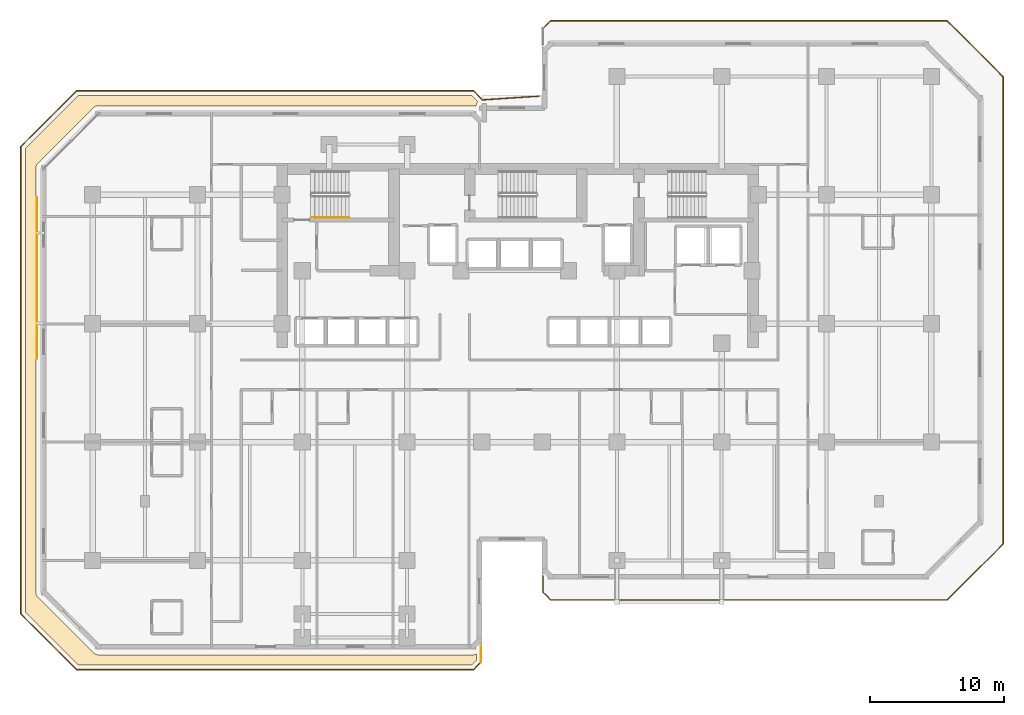
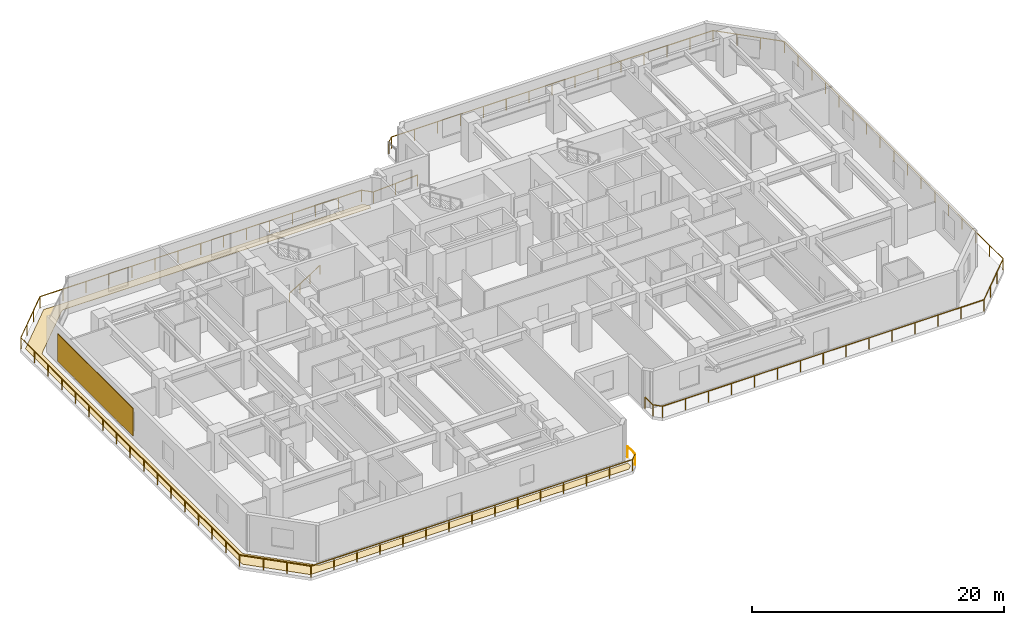
# One storey, part 11 of 12: 4 railings, 1 covering, 1 shading device.
"""IFC4 building model written with IfcOpenShell, lengths in metres."""

from ifc_helpers import new_model, si_unit, direction, frame, origin, origin_2d, place, context, subcontext, project, spatial, polyline, rectangle, circle, outline, extrude, material, layer, layer_set, type_object, element, save


model = new_model("IFC4")

# Units and contexts
model_context = context("Model", 3, precision=1e-05, world=origin(), true_north=direction((0.0, 1.0)))
body_context = subcontext(model_context, "Body", "Model", "MODEL_VIEW")
ifc_project = project(units=[si_unit("LENGTHUNIT", "METRE"), si_unit("AREAUNIT", "SQUARE_METRE"), si_unit("VOLUMEUNIT", "CUBIC_METRE"), si_unit("PLANEANGLEUNIT", "RADIAN"), si_unit("MASSUNIT", "GRAM", prefix="KILO")], contexts=[model_context])

# Site, building, storey
site_placement = place(None, origin())
site = spatial("IfcSite", under=ifc_project, at=site_placement, CompositionType="ELEMENT")
building_placement = place(site_placement, origin())
building = spatial("IfcBuilding", under=site, at=building_placement, Name="Kestravale Grand Hotel", CompositionType="ELEMENT")
storey_placement = place(building_placement, frame((0.0, 0.0, 80.39990234375)))
storey = spatial("IfcBuildingStorey", under=building, at=storey_placement, Name="L19", CompositionType="ELEMENT", Elevation=80.39990234375)

# Covering
ifc_material_1 = material(Name="TPO reflective roofing membrane and rigid mineral-wool insulation", Category="other")
ifc_layer_1 = layer(ifc_material_1, 0.1201171875)
ifc_layer_set_1 = layer_set([ifc_layer_1], Name="COV-ROOF-MEM")
covering_type = type_object("IfcCoveringType", Name="COV-ROOF-MEM", PredefinedType="ROOFING", material=ifc_layer_set_1)
covering_placement = place(storey_placement, frame((0.0, 0.0, -0.039794921875)))
element("IfcCovering", 1, at=covering_placement, inside=storey, type_object=covering_type, Name="L19 terrace waterproof membrane assembly", PredefinedType="ROOFING", context=body_context, shape_type="SweptSolid", body=[
    extrude(outline(polyline([(36.330078125, 44.97900390625), (36.31201171875, 44.987548828125), (36.2783203125, 45.0), (36.2763671875, 45.00048828125), (36.257568359375, 45.005859375), (36.255615234375, 45.00634765625), (36.21630859375, 45.0146484375), (36.21435546875, 45.014892578125), (36.172119140625, 45.019287109375), (36.169921875, 45.01953125), (36.14990234375, 45.02001953125), (8.199951171875, 45.02001953125), (8.179931640625, 45.01953125), (8.177978515625, 45.019287109375), (8.135498046875, 45.014892578125), (8.1337890625, 45.0146484375), (8.09423828125, 45.00634765625), (8.09228515625, 45.005859375), (8.07373046875, 45.00048828125), (8.07177734375, 45.0), (8.037841796875, 44.987548828125), (8.005126953125, 44.971923828125), (8.00341796875, 44.97119140625), (7.98779296875, 44.96240234375), (7.986083984375, 44.96142578125), (7.96240234375, 44.9462890625), (7.960693359375, 44.945068359375), (7.931396484375, 44.923095703125), (7.904541015625, 44.898193359375), (7.903076171875, 44.89697265625), (3.703125, 40.697021484375), (3.70166015625, 40.695556640625), (3.677001953125, 40.66845703125), (3.65478515625, 40.639404296875), (3.65380859375, 40.6376953125), (3.638671875, 40.614013671875), (3.6376953125, 40.6123046875), (3.62890625, 40.5966796875), (3.6279296875, 40.594970703125), (3.612548828125, 40.56201171875), (3.60009765625, 40.5283203125), (3.599609375, 40.5263671875), (3.593994140625, 40.507568359375), (3.593505859375, 40.505615234375), (3.585205078125, 40.46630859375), (3.5849609375, 40.46435546875), (3.58056640625, 40.422119140625), (3.58056640625, 40.419921875), (3.580078125, 40.39990234375), (3.580078125, 8.800048828125), (3.58056640625, 8.780029296875), (3.58056640625, 8.778076171875), (3.5849609375, 8.735595703125), (3.585205078125, 8.733642578125), (3.593505859375, 8.6943359375), (3.593994140625, 8.6923828125), (3.599609375, 8.673583984375), (3.60009765625, 8.671875), (3.612548828125, 8.637939453125), (3.6279296875, 8.60498046875), (3.62890625, 8.603515625), (3.6376953125, 8.587890625), (3.638671875, 8.586181640625), (3.65380859375, 8.562255859375), (3.65478515625, 8.560791015625), (3.677001953125, 8.531494140625), (3.70166015625, 8.50439453125), (3.703125, 8.503173828125), (7.903076171875, 4.302978515625), (7.904541015625, 4.3017578125), (7.931396484375, 4.277099609375), (7.960693359375, 4.2548828125), (7.96240234375, 4.25390625), (7.986083984375, 4.238525390625), (7.98779296875, 4.237548828125), (8.00341796875, 4.22900390625), (8.005126953125, 4.22802734375), (8.037841796875, 4.21240234375), (8.07177734375, 4.2001953125), (8.07373046875, 4.199462890625), (8.09228515625, 4.194091796875), (8.09423828125, 4.193603515625), (8.1337890625, 4.185302734375), (8.135498046875, 4.18505859375), (8.177978515625, 4.1806640625), (8.179931640625, 4.180419921875), (8.199951171875, 4.179931640625), (36.14990234375, 4.179931640625), (36.169921875, 4.180419921875), (36.172119140625, 4.1806640625), (36.21435546875, 4.18505859375), (36.21630859375, 4.185302734375), (36.255615234375, 4.193603515625), (36.257568359375, 4.194091796875), (36.2763671875, 4.199462890625), (36.2783203125, 4.2001953125), (36.31201171875, 4.21240234375), (36.344970703125, 4.22802734375), (36.3466796875, 4.22900390625), (36.35009765625, 4.230712890625), (36.35009765625, 3.765625), (35.984375, 3.39990234375), (6.765625, 3.39990234375), (2.800048828125, 7.36572265625), (2.800048828125, 41.834228515625), (6.765625, 45.800048828125), (35.984375, 45.800048828125), (36.46728515625, 45.317138671875), (36.47119140625, 45.313720703125), (36.45458984375, 45.29833984375), (36.45166015625, 45.29541015625), (36.427001953125, 45.2685546875), (36.40478515625, 45.2392578125), (36.40380859375, 45.23779296875), (36.388671875, 45.2138671875), (36.3876953125, 45.212158203125), (36.37890625, 45.196533203125), (36.3779296875, 45.19482421875), (36.362548828125, 45.162109375), (36.35009765625, 45.128173828125), (36.349609375, 45.126220703125), (36.343994140625, 45.107666015625), (36.343505859375, 45.105712890625), (36.335205078125, 45.06640625), (36.3349609375, 45.064453125), (36.33056640625, 45.02197265625), (36.33056640625, 45.02001953125), (36.330078125, 45.0), (36.330078125, 44.97900390625)])), origin(), (0.0, 0.0, 1.0), 0.039794921875),
])

# Railings
ifc_material_2 = material(Name="Champagne-bronze stainless steel and laminated glass guard", Category="steel")
railing_type_1 = type_object("IfcRailingType", Name="RL-EXT-1100", PredefinedType="GUARDRAIL", material=ifc_material_2)
railing_1_placement = place(storey_placement, frame((36.68994140625, 3.625, 0.0)))
element("IfcRailing", 2, at=railing_1_placement, inside=storey, type_object=railing_type_1, Name="L19 outdoor terrace guard 1", PredefinedType="GUARDRAIL", context=body_context, shape_type="SweptSolid", body=[
    extrude(circle(Radius=0.02392578125, at=origin_2d()), frame((0.0, 0.0, 1.09619140625), z_axis=(-0.707106781187, -0.707106781187, 0.0), x_axis=(0.707106781187, -0.707106781187, 0.0)), (0.0, 0.0, 1.0), 0.798828125),
    extrude(circle(Radius=0.02392578125, at=origin_2d()), frame((-0.56494140625, -0.56494140625, 1.09619140625), z_axis=(-1.0, 0.0, 0.0), x_axis=(0.0, -1.0, 0.0)), (0.0, 0.0, 1.0), 29.5),
    extrude(circle(Radius=0.02392578125, at=origin_2d()), frame((-30.06494140625, -0.56494140625, 1.09619140625), z_axis=(-0.707127505605, 0.707086056161, 0.0), x_axis=(-0.707086056161, -0.707127505605, 0.0)), (0.0, 0.0, 1.0), 5.89013671875),
    extrude(circle(Radius=0.02392578125, at=origin_2d()), frame((-34.22998046875, 3.599853515625, 1.09619140625), z_axis=(0.0, 1.0, 0.0), x_axis=(-1.0, 0.0, 0.0)), (0.0, 0.0, 1.0), 34.750244140625),
    extrude(circle(Radius=0.02392578125, at=origin_2d()), frame((-34.22998046875, 38.35009765625, 1.09619140625), z_axis=(0.707127505605, 0.707086056161, 0.0), x_axis=(-0.707086056161, 0.707127505605, 0.0)), (0.0, 0.0, 1.0), 5.89013671875),
    extrude(circle(Radius=0.02392578125, at=origin_2d()), frame((-30.06494140625, 42.514892578125, 1.09619140625), z_axis=(1.0, 0.0, 0.0), x_axis=(0.0, 1.0, 0.0)), (0.0, 0.0, 1.0), 29.5),
    extrude(circle(Radius=0.02392578125, at=origin_2d()), frame((-0.56494140625, 42.514892578125, 1.09619140625), z_axis=(0.70723279148, -0.706980748433, 0.0), x_axis=(0.706980748433, 0.70723279148, 0.0)), (0.0, 0.0, 1.0), 0.96875),
    extrude(circle(Radius=0.02392578125, at=origin_2d()), frame((0.1201171875, 41.830078125, 1.09619140625), z_axis=(0.997728612099, 0.0673618334, 0.0), x_axis=(-0.0673618334, 0.997728612099, 0.0)), (0.0, 0.0, 1.0), 4.2294921875),
    extrude(circle(Radius=0.02099609375, at=origin_2d()), origin(), (0.0, 0.0, 1.0), 1.072021484375),
    extrude(circle(Radius=0.02099609375, at=origin_2d()), frame((-0.56494140625, -0.56494140625, 0.0)), (0.0, 0.0, 1.0), 1.072021484375),
    extrude(circle(Radius=0.02099609375, at=origin_2d()), frame((-2.672119140625, -0.56494140625, 0.0)), (0.0, 0.0, 1.0), 1.072021484375),
    extrude(circle(Radius=0.02099609375, at=origin_2d()), frame((-4.779296875, -0.56494140625, 0.0)), (0.0, 0.0, 1.0), 1.072021484375),
    extrude(circle(Radius=0.02099609375, at=origin_2d()), frame((-6.886474609375, -0.56494140625, 0.0)), (0.0, 0.0, 1.0), 1.072021484375),
    extrude(circle(Radius=0.02099609375, at=origin_2d()), frame((-8.993408203125, -0.56494140625, 0.0)), (0.0, 0.0, 1.0), 1.072021484375),
    extrude(circle(Radius=0.02099609375, at=origin_2d()), frame((-11.1005859375, -0.56494140625, 0.0)), (0.0, 0.0, 1.0), 1.072021484375),
    extrude(circle(Radius=0.02099609375, at=origin_2d()), frame((-13.207763671875, -0.56494140625, 0.0)), (0.0, 0.0, 1.0), 1.072021484375),
    extrude(circle(Radius=0.02099609375, at=origin_2d()), frame((-15.31494140625, -0.56494140625, 0.0)), (0.0, 0.0, 1.0), 1.072021484375),
    extrude(circle(Radius=0.02099609375, at=origin_2d()), frame((-17.422119140625, -0.56494140625, 0.0)), (0.0, 0.0, 1.0), 1.072021484375),
    extrude(circle(Radius=0.02099609375, at=origin_2d()), frame((-19.529296875, -0.56494140625, 0.0)), (0.0, 0.0, 1.0), 1.072021484375),
    extrude(circle(Radius=0.02099609375, at=origin_2d()), frame((-21.636474609375, -0.56494140625, 0.0)), (0.0, 0.0, 1.0), 1.072021484375),
    extrude(circle(Radius=0.02099609375, at=origin_2d()), frame((-23.743408203125, -0.56494140625, 0.0)), (0.0, 0.0, 1.0), 1.072021484375),
    extrude(circle(Radius=0.02099609375, at=origin_2d()), frame((-25.8505859375, -0.56494140625, 0.0)), (0.0, 0.0, 1.0), 1.072021484375),
    extrude(circle(Radius=0.02099609375, at=origin_2d()), frame((-27.957763671875, -0.56494140625, 0.0)), (0.0, 0.0, 1.0), 1.072021484375),
    extrude(circle(Radius=0.02099609375, at=origin_2d()), frame((-30.06494140625, -0.56494140625, 0.0)), (0.0, 0.0, 1.0), 1.072021484375),
    extrude(circle(Radius=0.02099609375, at=origin_2d()), frame((-31.453369140625, 0.8232421875, 0.0)), (0.0, 0.0, 1.0), 1.072021484375),
    extrude(circle(Radius=0.02099609375, at=origin_2d()), frame((-32.841552734375, 2.211669921875, 0.0)), (0.0, 0.0, 1.0), 1.072021484375),
    extrude(circle(Radius=0.02099609375, at=origin_2d()), frame((-34.22998046875, 3.599853515625, 0.0)), (0.0, 0.0, 1.0), 1.072021484375),
    extrude(circle(Radius=0.02099609375, at=origin_2d()), frame((-34.22998046875, 5.771728515625, 0.0)), (0.0, 0.0, 1.0), 1.072021484375),
    extrude(circle(Radius=0.02099609375, at=origin_2d()), frame((-34.22998046875, 7.943603515625, 0.0)), (0.0, 0.0, 1.0), 1.072021484375),
    extrude(circle(Radius=0.02099609375, at=origin_2d()), frame((-34.22998046875, 10.115478515625, 0.0)), (0.0, 0.0, 1.0), 1.072021484375),
    extrude(circle(Radius=0.02099609375, at=origin_2d()), frame((-34.22998046875, 12.287353515625, 0.0)), (0.0, 0.0, 1.0), 1.072021484375),
    extrude(circle(Radius=0.02099609375, at=origin_2d()), frame((-34.22998046875, 14.459228515625, 0.0)), (0.0, 0.0, 1.0), 1.072021484375),
    extrude(circle(Radius=0.02099609375, at=origin_2d()), frame((-34.22998046875, 16.631103515625, 0.0)), (0.0, 0.0, 1.0), 1.072021484375),
    extrude(circle(Radius=0.02099609375, at=origin_2d()), frame((-34.22998046875, 18.802978515625, 0.0)), (0.0, 0.0, 1.0), 1.072021484375),
    extrude(circle(Radius=0.02099609375, at=origin_2d()), frame((-34.22998046875, 20.97509765625, 0.0)), (0.0, 0.0, 1.0), 1.072021484375),
    extrude(circle(Radius=0.02099609375, at=origin_2d()), frame((-34.22998046875, 23.14697265625, 0.0)), (0.0, 0.0, 1.0), 1.072021484375),
    extrude(circle(Radius=0.02099609375, at=origin_2d()), frame((-34.22998046875, 25.31884765625, 0.0)), (0.0, 0.0, 1.0), 1.072021484375),
    extrude(circle(Radius=0.02099609375, at=origin_2d()), frame((-34.22998046875, 27.49072265625, 0.0)), (0.0, 0.0, 1.0), 1.072021484375),
    extrude(circle(Radius=0.02099609375, at=origin_2d()), frame((-34.22998046875, 29.66259765625, 0.0)), (0.0, 0.0, 1.0), 1.072021484375),
    extrude(circle(Radius=0.02099609375, at=origin_2d()), frame((-34.22998046875, 31.83447265625, 0.0)), (0.0, 0.0, 1.0), 1.072021484375),
    extrude(circle(Radius=0.02099609375, at=origin_2d()), frame((-34.22998046875, 34.00634765625, 0.0)), (0.0, 0.0, 1.0), 1.072021484375),
    extrude(circle(Radius=0.02099609375, at=origin_2d()), frame((-34.22998046875, 36.17822265625, 0.0)), (0.0, 0.0, 1.0), 1.072021484375),
    extrude(circle(Radius=0.02099609375, at=origin_2d()), frame((-34.22998046875, 38.35009765625, 0.0)), (0.0, 0.0, 1.0), 1.072021484375),
    extrude(circle(Radius=0.02099609375, at=origin_2d()), frame((-32.841552734375, 39.73828125, 0.0)), (0.0, 0.0, 1.0), 1.072021484375),
    extrude(circle(Radius=0.02099609375, at=origin_2d()), frame((-31.453369140625, 41.126708984375, 0.0)), (0.0, 0.0, 1.0), 1.072021484375),
    extrude(circle(Radius=0.02099609375, at=origin_2d()), frame((-30.06494140625, 42.514892578125, 0.0)), (0.0, 0.0, 1.0), 1.072021484375),
    extrude(circle(Radius=0.02099609375, at=origin_2d()), frame((-27.957763671875, 42.514892578125, 0.0)), (0.0, 0.0, 1.0), 1.072021484375),
    extrude(circle(Radius=0.02099609375, at=origin_2d()), frame((-25.8505859375, 42.514892578125, 0.0)), (0.0, 0.0, 1.0), 1.072021484375),
    extrude(circle(Radius=0.02099609375, at=origin_2d()), frame((-23.743408203125, 42.514892578125, 0.0)), (0.0, 0.0, 1.0), 1.072021484375),
    extrude(circle(Radius=0.02099609375, at=origin_2d()), frame((-21.636474609375, 42.514892578125, 0.0)), (0.0, 0.0, 1.0), 1.072021484375),
    extrude(circle(Radius=0.02099609375, at=origin_2d()), frame((-19.529296875, 42.514892578125, 0.0)), (0.0, 0.0, 1.0), 1.072021484375),
    extrude(circle(Radius=0.02099609375, at=origin_2d()), frame((-17.422119140625, 42.514892578125, 0.0)), (0.0, 0.0, 1.0), 1.072021484375),
    extrude(circle(Radius=0.02099609375, at=origin_2d()), frame((-15.31494140625, 42.514892578125, 0.0)), (0.0, 0.0, 1.0), 1.072021484375),
    extrude(circle(Radius=0.02099609375, at=origin_2d()), frame((-13.207763671875, 42.514892578125, 0.0)), (0.0, 0.0, 1.0), 1.072021484375),
    extrude(circle(Radius=0.02099609375, at=origin_2d()), frame((-11.1005859375, 42.514892578125, 0.0)), (0.0, 0.0, 1.0), 1.072021484375),
    extrude(circle(Radius=0.02099609375, at=origin_2d()), frame((-8.993408203125, 42.514892578125, 0.0)), (0.0, 0.0, 1.0), 1.072021484375),
    extrude(circle(Radius=0.02099609375, at=origin_2d()), frame((-6.886474609375, 42.514892578125, 0.0)), (0.0, 0.0, 1.0), 1.072021484375),
    extrude(circle(Radius=0.02099609375, at=origin_2d()), frame((-4.779296875, 42.514892578125, 0.0)), (0.0, 0.0, 1.0), 1.072021484375),
    extrude(circle(Radius=0.02099609375, at=origin_2d()), frame((-2.672119140625, 42.514892578125, 0.0)), (0.0, 0.0, 1.0), 1.072021484375),
    extrude(circle(Radius=0.02099609375, at=origin_2d()), frame((-0.56494140625, 42.514892578125, 0.0)), (0.0, 0.0, 1.0), 1.072021484375),
    extrude(circle(Radius=0.02099609375, at=origin_2d()), frame((0.1201171875, 41.830078125, 0.0)), (0.0, 0.0, 1.0), 1.072021484375),
    extrude(circle(Radius=0.02099609375, at=origin_2d()), frame((2.22998046875, 41.97265625, 0.0)), (0.0, 0.0, 1.0), 1.072021484375),
    extrude(circle(Radius=0.02099609375, at=origin_2d()), frame((4.340087890625, 42.114990234375, 0.0)), (0.0, 0.0, 1.0), 1.072021484375),
])
railing_2_placement = place(storey_placement, frame((36.68994140625, 4.828857421875, 0.0)))
element("IfcRailing", 3, at=railing_2_placement, inside=storey, type_object=railing_type_1, Name="L19 outdoor terrace guard 2", PredefinedType="GUARDRAIL", context=body_context, shape_type="SweptSolid", body=[
    extrude(circle(Radius=0.02392578125, at=origin_2d()), frame((0.0, 0.0, 1.09619140625), z_axis=(0.0, -1.0, 0.0), x_axis=(1.0, 0.0, 0.0)), (0.0, 0.0, 1.0), 1.203857421875),
    extrude(circle(Radius=0.02099609375, at=origin_2d()), origin(), (0.0, 0.0, 1.0), 1.072021484375),
    extrude(circle(Radius=0.02099609375, at=origin_2d()), frame((0.0, -1.203857421875, 0.0)), (0.0, 0.0, 1.0), 1.072021484375),
])
railing_3_placement = place(storey_placement, frame((41.31005859375, 50.775146484375, 0.0)))
element("IfcRailing", 4, at=railing_3_placement, inside=storey, type_object=railing_type_1, Name="L19 outdoor terrace guard 1", PredefinedType="GUARDRAIL", context=body_context, shape_type="SweptSolid", body=[
    extrude(circle(Radius=0.02392578125, at=origin_2d()), frame((0.0, 0.0, 1.09619140625), z_axis=(0.707106781187, 0.707106781187, 0.0), x_axis=(-0.707106781187, 0.707106781187, 0.0)), (0.0, 0.0, 1.0), 0.798828125),
    extrude(circle(Radius=0.02392578125, at=origin_2d()), frame((0.56494140625, 0.56494140625, 1.09619140625), z_axis=(1.0, 0.0, 0.0), x_axis=(0.0, 1.0, 0.0)), (0.0, 0.0, 1.0), 29.5),
    extrude(circle(Radius=0.02392578125, at=origin_2d()), frame((30.06494140625, 0.56494140625, 1.09619140625), z_axis=(0.707106781187, -0.707106781187, 0.0), x_axis=(0.707106781187, 0.707106781187, 0.0)), (0.0, 0.0, 1.0), 5.89013671875),
    extrude(circle(Radius=0.02392578125, at=origin_2d()), frame((34.22998046875, -3.60009765625, 1.09619140625), z_axis=(0.0, -1.0, 0.0), x_axis=(1.0, 0.0, 0.0)), (0.0, 0.0, 1.0), 34.750244140625),
    extrude(circle(Radius=0.02392578125, at=origin_2d()), frame((34.22998046875, -38.350341796875, 1.09619140625), z_axis=(-0.707127505605, -0.707086056161, 0.0), x_axis=(0.707086056161, -0.707127505605, 0.0)), (0.0, 0.0, 1.0), 5.89013671875),
    extrude(circle(Radius=0.02392578125, at=origin_2d()), frame((30.06494140625, -42.51513671875, 1.09619140625), z_axis=(-1.0, 0.0, 0.0), x_axis=(0.0, -1.0, 0.0)), (0.0, 0.0, 1.0), 29.5),
    extrude(circle(Radius=0.02392578125, at=origin_2d()), frame((0.56494140625, -42.51513671875, 1.09619140625), z_axis=(-0.707106781187, 0.707106781187, 0.0), x_axis=(-0.707106781187, -0.707106781187, 0.0)), (0.0, 0.0, 1.0), 0.798828125),
    extrude(circle(Radius=0.02392578125, at=origin_2d()), frame((0.0, -41.9501953125, 1.09619140625), z_axis=(0.0, 1.0, 0.0), x_axis=(-1.0, 0.0, 0.0)), (0.0, 0.0, 1.0), 1.203857421875),
    extrude(circle(Radius=0.02099609375, at=origin_2d()), origin(), (0.0, 0.0, 1.0), 1.072021484375),
    extrude(circle(Radius=0.02099609375, at=origin_2d()), frame((0.56494140625, 0.56494140625, 0.0)), (0.0, 0.0, 1.0), 1.072021484375),
    extrude(circle(Radius=0.02099609375, at=origin_2d()), frame((2.672119140625, 0.56494140625, 0.0)), (0.0, 0.0, 1.0), 1.072021484375),
    extrude(circle(Radius=0.02099609375, at=origin_2d()), frame((4.779296875, 0.56494140625, 0.0)), (0.0, 0.0, 1.0), 1.072021484375),
    extrude(circle(Radius=0.02099609375, at=origin_2d()), frame((6.886474609375, 0.56494140625, 0.0)), (0.0, 0.0, 1.0), 1.072021484375),
    extrude(circle(Radius=0.02099609375, at=origin_2d()), frame((8.993408203125, 0.56494140625, 0.0)), (0.0, 0.0, 1.0), 1.072021484375),
    extrude(circle(Radius=0.02099609375, at=origin_2d()), frame((11.1005859375, 0.56494140625, 0.0)), (0.0, 0.0, 1.0), 1.072021484375),
    extrude(circle(Radius=0.02099609375, at=origin_2d()), frame((13.207763671875, 0.56494140625, 0.0)), (0.0, 0.0, 1.0), 1.072021484375),
    extrude(circle(Radius=0.02099609375, at=origin_2d()), frame((15.31494140625, 0.56494140625, 0.0)), (0.0, 0.0, 1.0), 1.072021484375),
    extrude(circle(Radius=0.02099609375, at=origin_2d()), frame((17.422119140625, 0.56494140625, 0.0)), (0.0, 0.0, 1.0), 1.072021484375),
    extrude(circle(Radius=0.02099609375, at=origin_2d()), frame((19.529296875, 0.56494140625, 0.0)), (0.0, 0.0, 1.0), 1.072021484375),
    extrude(circle(Radius=0.02099609375, at=origin_2d()), frame((21.636474609375, 0.56494140625, 0.0)), (0.0, 0.0, 1.0), 1.072021484375),
    extrude(circle(Radius=0.02099609375, at=origin_2d()), frame((23.743408203125, 0.56494140625, 0.0)), (0.0, 0.0, 1.0), 1.072021484375),
    extrude(circle(Radius=0.02099609375, at=origin_2d()), frame((25.8505859375, 0.56494140625, 0.0)), (0.0, 0.0, 1.0), 1.072021484375),
    extrude(circle(Radius=0.02099609375, at=origin_2d()), frame((27.957763671875, 0.56494140625, 0.0)), (0.0, 0.0, 1.0), 1.072021484375),
    extrude(circle(Radius=0.02099609375, at=origin_2d()), frame((30.06494140625, 0.56494140625, 0.0)), (0.0, 0.0, 1.0), 1.072021484375),
    extrude(circle(Radius=0.02099609375, at=origin_2d()), frame((31.453369140625, -0.823486328125, 0.0)), (0.0, 0.0, 1.0), 1.072021484375),
    extrude(circle(Radius=0.02099609375, at=origin_2d()), frame((32.841552734375, -2.211669921875, 0.0)), (0.0, 0.0, 1.0), 1.072021484375),
    extrude(circle(Radius=0.02099609375, at=origin_2d()), frame((34.22998046875, -3.60009765625, 0.0)), (0.0, 0.0, 1.0), 1.072021484375),
    extrude(circle(Radius=0.02099609375, at=origin_2d()), frame((34.22998046875, -5.77197265625, 0.0)), (0.0, 0.0, 1.0), 1.072021484375),
    extrude(circle(Radius=0.02099609375, at=origin_2d()), frame((34.22998046875, -7.94384765625, 0.0)), (0.0, 0.0, 1.0), 1.072021484375),
    extrude(circle(Radius=0.02099609375, at=origin_2d()), frame((34.22998046875, -10.11572265625, 0.0)), (0.0, 0.0, 1.0), 1.072021484375),
    extrude(circle(Radius=0.02099609375, at=origin_2d()), frame((34.22998046875, -12.28759765625, 0.0)), (0.0, 0.0, 1.0), 1.072021484375),
    extrude(circle(Radius=0.02099609375, at=origin_2d()), frame((34.22998046875, -14.45947265625, 0.0)), (0.0, 0.0, 1.0), 1.072021484375),
    extrude(circle(Radius=0.02099609375, at=origin_2d()), frame((34.22998046875, -16.63134765625, 0.0)), (0.0, 0.0, 1.0), 1.072021484375),
    extrude(circle(Radius=0.02099609375, at=origin_2d()), frame((34.22998046875, -18.80322265625, 0.0)), (0.0, 0.0, 1.0), 1.072021484375),
    extrude(circle(Radius=0.02099609375, at=origin_2d()), frame((34.22998046875, -20.97509765625, 0.0)), (0.0, 0.0, 1.0), 1.072021484375),
    extrude(circle(Radius=0.02099609375, at=origin_2d()), frame((34.22998046875, -23.147216796875, 0.0)), (0.0, 0.0, 1.0), 1.072021484375),
    extrude(circle(Radius=0.02099609375, at=origin_2d()), frame((34.22998046875, -25.319091796875, 0.0)), (0.0, 0.0, 1.0), 1.072021484375),
    extrude(circle(Radius=0.02099609375, at=origin_2d()), frame((34.22998046875, -27.490966796875, 0.0)), (0.0, 0.0, 1.0), 1.072021484375),
    extrude(circle(Radius=0.02099609375, at=origin_2d()), frame((34.22998046875, -29.662841796875, 0.0)), (0.0, 0.0, 1.0), 1.072021484375),
    extrude(circle(Radius=0.02099609375, at=origin_2d()), frame((34.22998046875, -31.834716796875, 0.0)), (0.0, 0.0, 1.0), 1.072021484375),
    extrude(circle(Radius=0.02099609375, at=origin_2d()), frame((34.22998046875, -34.006591796875, 0.0)), (0.0, 0.0, 1.0), 1.072021484375),
    extrude(circle(Radius=0.02099609375, at=origin_2d()), frame((34.22998046875, -36.178466796875, 0.0)), (0.0, 0.0, 1.0), 1.072021484375),
    extrude(circle(Radius=0.02099609375, at=origin_2d()), frame((34.22998046875, -38.350341796875, 0.0)), (0.0, 0.0, 1.0), 1.072021484375),
    extrude(circle(Radius=0.02099609375, at=origin_2d()), frame((32.841552734375, -39.738525390625, 0.0)), (0.0, 0.0, 1.0), 1.072021484375),
    extrude(circle(Radius=0.02099609375, at=origin_2d()), frame((31.453369140625, -41.126953125, 0.0)), (0.0, 0.0, 1.0), 1.072021484375),
    extrude(circle(Radius=0.02099609375, at=origin_2d()), frame((30.06494140625, -42.51513671875, 0.0)), (0.0, 0.0, 1.0), 1.072021484375),
    extrude(circle(Radius=0.02099609375, at=origin_2d()), frame((27.957763671875, -42.51513671875, 0.0)), (0.0, 0.0, 1.0), 1.072021484375),
    extrude(circle(Radius=0.02099609375, at=origin_2d()), frame((25.8505859375, -42.51513671875, 0.0)), (0.0, 0.0, 1.0), 1.072021484375),
    extrude(circle(Radius=0.02099609375, at=origin_2d()), frame((23.743408203125, -42.51513671875, 0.0)), (0.0, 0.0, 1.0), 1.072021484375),
    extrude(circle(Radius=0.02099609375, at=origin_2d()), frame((21.636474609375, -42.51513671875, 0.0)), (0.0, 0.0, 1.0), 1.072021484375),
    extrude(circle(Radius=0.02099609375, at=origin_2d()), frame((19.529296875, -42.51513671875, 0.0)), (0.0, 0.0, 1.0), 1.072021484375),
    extrude(circle(Radius=0.02099609375, at=origin_2d()), frame((17.422119140625, -42.51513671875, 0.0)), (0.0, 0.0, 1.0), 1.072021484375),
    extrude(circle(Radius=0.02099609375, at=origin_2d()), frame((15.31494140625, -42.51513671875, 0.0)), (0.0, 0.0, 1.0), 1.072021484375),
    extrude(circle(Radius=0.02099609375, at=origin_2d()), frame((13.207763671875, -42.51513671875, 0.0)), (0.0, 0.0, 1.0), 1.072021484375),
    extrude(circle(Radius=0.02099609375, at=origin_2d()), frame((11.1005859375, -42.51513671875, 0.0)), (0.0, 0.0, 1.0), 1.072021484375),
    extrude(circle(Radius=0.02099609375, at=origin_2d()), frame((8.993408203125, -42.51513671875, 0.0)), (0.0, 0.0, 1.0), 1.072021484375),
    extrude(circle(Radius=0.02099609375, at=origin_2d()), frame((6.886474609375, -42.51513671875, 0.0)), (0.0, 0.0, 1.0), 1.072021484375),
    extrude(circle(Radius=0.02099609375, at=origin_2d()), frame((4.779296875, -42.51513671875, 0.0)), (0.0, 0.0, 1.0), 1.072021484375),
    extrude(circle(Radius=0.02099609375, at=origin_2d()), frame((2.672119140625, -42.51513671875, 0.0)), (0.0, 0.0, 1.0), 1.072021484375),
    extrude(circle(Radius=0.02099609375, at=origin_2d()), frame((0.56494140625, -42.51513671875, 0.0)), (0.0, 0.0, 1.0), 1.072021484375),
    extrude(circle(Radius=0.02099609375, at=origin_2d()), frame((0.0, -41.9501953125, 0.0)), (0.0, 0.0, 1.0), 1.072021484375),
    extrude(circle(Radius=0.02099609375, at=origin_2d()), frame((0.0, -40.746337890625, 0.0)), (0.0, 0.0, 1.0), 1.072021484375),
])
ifc_material_3 = material(Name="Brushed stainless steel wall handrail", Category="steel")
railing_type_2 = type_object("IfcRailingType", Name="RL-ST-HND900", PredefinedType="HANDRAIL", material=ifc_material_3)
railing_4_placement = place(storey_placement, frame((24.080078125, 36.699951171875, 0.1728515625)))
element("IfcRailing", 5, at=railing_4_placement, inside=storey, type_object=railing_type_2, Name="L19 ST-1 stair handrail 1", PredefinedType="HANDRAIL", context=body_context, shape_type="SweptSolid", body=[
    extrude(circle(Radius=0.02392578125, at=origin_2d()), frame((0.0, 0.0, 0.8759765625), z_axis=(0.851069175582, 0.0, 0.525053576669), x_axis=(0.0, 1.0, 0.0)), (0.0, 0.0, 1.0), 3.289794921875),
    extrude(circle(Radius=0.02099609375, at=origin_2d()), origin(), (0.0, 0.0, 1.0), 0.851806640625),
    extrude(circle(Radius=0.02099609375, at=origin_2d()), frame((0.933349609375, 0.0, 0.57568359375)), (0.0, 0.0, 1.0), 0.851806640625),
    extrude(circle(Radius=0.02099609375, at=origin_2d()), frame((1.866455078125, 0.0, 1.151611328125)), (0.0, 0.0, 1.0), 0.851806640625),
    extrude(circle(Radius=0.02099609375, at=origin_2d()), frame((2.7998046875, 0.0, 1.727294921875)), (0.0, 0.0, 1.0), 0.851806640625),
])

# Shading device
ifc_material_4 = material(Name="Perforated champagne-bronze aluminium and ceramic solar screen", Category="aluminium")
ifc_layer_2 = layer(ifc_material_4, 0.06494140625)
ifc_layer_set_2 = layer_set([ifc_layer_2], Name="SHD-SCR-CHEV")
shading_device_type = type_object("IfcShadingDeviceType", Name="SHD-SCR-CHEV", PredefinedType="USERDEFINED", material=ifc_layer_set_2)
shading_device_placement = place(storey_placement, frame((3.659912109375, 32.199951171875, 0.7001953125), z_axis=(0.0, 0.0, 1.0), x_axis=(0.0, -1.0, 0.0)))
element("IfcShadingDevice", 6, at=shading_device_placement, inside=storey, type_object=shading_device_type, Name="L19 Perforated bronze ceramic chevron solar screen SCR-L19-19", ObjectType="SCREEN", PredefinedType="USERDEFINED", context=body_context, shape_type="SweptSolid", body=[
    extrude(rectangle(XDim=12.0, YDim=0.06494140625, at=origin_2d()), origin(), (0.0, 0.0, 1.0), 2.68994140625),
])

save(model, "model.ifc")
